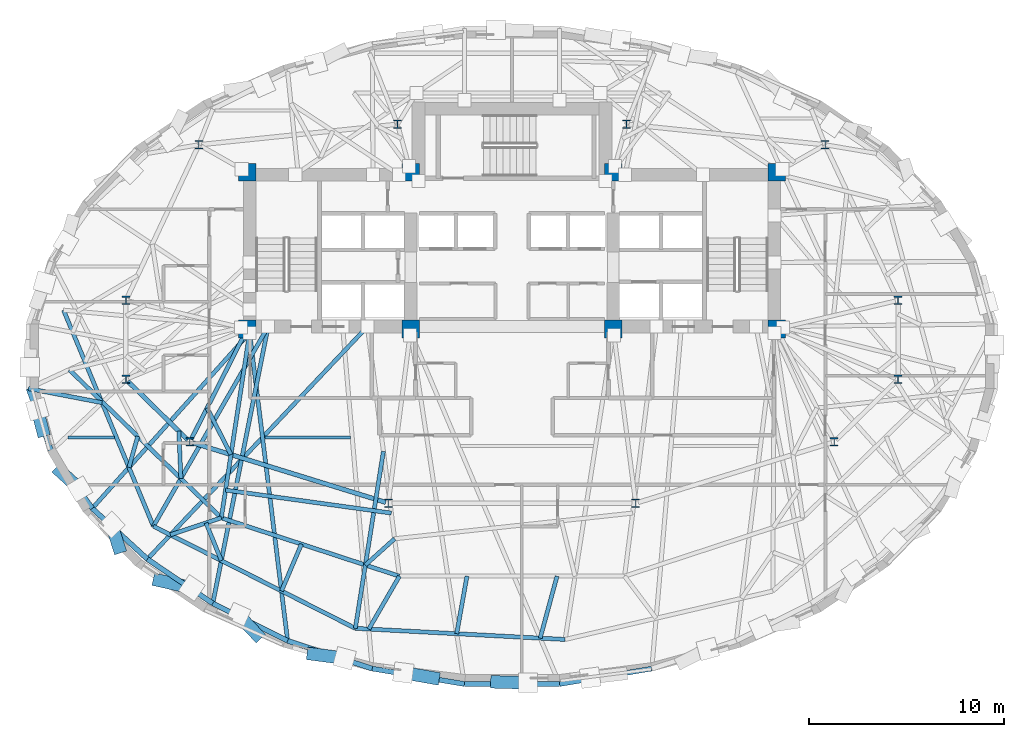
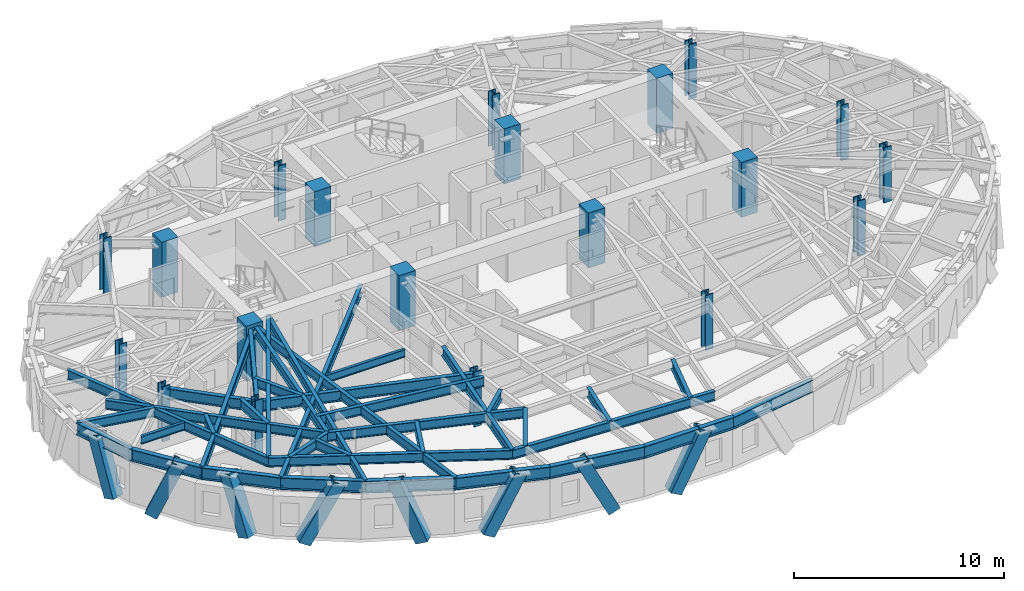
# One storey, part 1 of 14: 38 beams, 20 columns, 8 members.
"""IFC4 building model written with IfcOpenShell, lengths in metres."""

from ifc_helpers import new_model, si_unit, direction, frame, origin, origin_2d, place, context, subcontext, project, spatial, rectangle, hollow_rectangle, i_section, extrude, material, material_profile, profile_set, type_object, element, save


model = new_model("IFC4")

# Units and contexts
model_context = context("Model", 3, precision=1e-05, world=origin(), true_north=direction((0.0, 1.0)))
body_context = subcontext(model_context, "Body", "Model", "MODEL_VIEW")
ifc_project = project(units=[si_unit("LENGTHUNIT", "METRE"), si_unit("AREAUNIT", "SQUARE_METRE"), si_unit("VOLUMEUNIT", "CUBIC_METRE"), si_unit("PLANEANGLEUNIT", "RADIAN"), si_unit("MASSUNIT", "GRAM", prefix="KILO")], contexts=[model_context])

# Site, building, storey
site_placement = place(None, origin())
site = spatial("IfcSite", under=ifc_project, at=site_placement, CompositionType="ELEMENT")
building_placement = place(site_placement, origin())
building = spatial("IfcBuilding", under=site, at=building_placement, Name="Keldmark Tower", CompositionType="ELEMENT")
storey_placement = place(building_placement, frame((0.0, 0.0, 169.39990234375)))
storey = spatial("IfcBuildingStorey", under=building, at=storey_placement, Name="L46", CompositionType="ELEMENT", Elevation=169.39990234375)

# Columns
ifc_material_1 = material(Name="Concrete C50/60", Category="concrete")
ifc_material_profile_1 = material_profile(ifc_material_1, rectangle(XDim=0.89990234375, YDim=0.89990234375, at=origin_2d()), Name="RC900X900")
ifc_profile_set_1 = profile_set([ifc_material_profile_1], Name="Concrete C50/60")
column_type_1 = type_object("IfcColumnType", Name="Core Boundary Column RC900", PredefinedType="COLUMN", material=ifc_profile_set_1)
for number, where, z_axis, x_axis, name in (
    (1, (-13.60009765625, 1.39990234375, 0.0), (0.0, 0.0, 1.0), (1.0, 0.0, 0.0), "L46 Core Boundary Column CC-W1"),
    (2, (-13.60009765625, 9.449951171875, 0.0), (0.0, 0.0, 1.0), (1.0, 0.0, 0.0), "L46 Core Boundary Column CC-W2"),
    (3, (-5.199951171875, 1.39990234375, 0.0), (0.0, 0.0, 1.0), (1.0, 0.0, 0.0), "L46 Core Boundary Column CC-W3"),
    (4, (-5.199951171875, 9.449951171875, 0.0), (0.0, 0.0, 1.0), (1.0, 0.0, 0.0), "L46 Core Boundary Column CC-W4"),
    (5, (5.199951171875, 1.39990234375, 0.0), (0.0, 0.0, 1.0), (1.0, 0.0, 0.0), "L46 Core Boundary Column CC-E1"),
    (6, (5.199951171875, 9.449951171875, 0.0), (0.0, 0.0, 1.0), (1.0, 0.0, 0.0), "L46 Core Boundary Column CC-E2"),
    (7, (13.60009765625, 1.39990234375, 0.0), (0.0, 0.0, 1.0), (1.0, 0.0, 0.0), "L46 Core Boundary Column CC-E3"),
    (8, (13.60009765625, 9.449951171875, 0.0), (0.0, 0.0, 1.0), (1.0, 0.0, 0.0), "L46 Core Boundary Column CC-E4"),
):
    element("IfcColumn", number, at=place(storey_placement, frame(where, z_axis=z_axis, x_axis=x_axis)), inside=storey, type_object=column_type_1, Name=name, PredefinedType="COLUMN", context=body_context, shape_type="SweptSolid", body=[
        extrude(rectangle(XDim=0.89990234375, YDim=0.89990234375, at=origin_2d()), origin(), (0.0, 0.0, 1.0), 3.2001953125),
    ])
ifc_material_2 = material(Name="Steel ASTM A992 Grade 50", Category="steel")
ifc_material_profile_2 = material_profile(ifc_material_2, i_section(OverallWidth=0.412109375, OverallDepth=0.43505859375, WebThickness=0.035888671875, FlangeThickness=0.057373046875, at=origin_2d()), Name="W14X311")
ifc_profile_set_2 = profile_set([ifc_material_profile_2], Name="Steel ASTM A992 Grade 50")
column_type_2 = type_object("IfcColumnType", Name="Tower Gravity Column W14X311", PredefinedType="COLUMN", material=ifc_profile_set_2)
for number, where, z_axis, x_axis, name in (
    (9, (19.828369140625, 2.869140625, 0.0), (0.0, 0.0, 1.0), (1.0, 0.0, 0.0), "L46 Tower Gravity Column TC-E1"),
    (10, (16.08154296875, 10.861083984375, 0.0), (0.0, 0.0, 1.0), (1.0, 0.0, 0.0), "L46 Tower Gravity Column TC-E4"),
    (11, (5.880126953125, 11.915283203125, 0.0), (0.0, 0.0, 1.0), (1.0, 0.0, 0.0), "L46 Tower Gravity Column TC-N2"),
    (12, (-5.880126953125, 11.915283203125, 0.0), (0.0, 0.0, 1.0), (1.0, 0.0, 0.0), "L46 Tower Gravity Column TC-N1"),
    (13, (-16.08154296875, 10.861083984375, 0.0), (0.0, 0.0, 1.0), (1.0, 0.0, 0.0), "L46 Tower Gravity Column TC-W4"),
    (14, (-19.828369140625, 2.869140625, 0.0), (0.0, 0.0, 1.0), (1.0, 0.0, 0.0), "L46 Tower Gravity Column TC-W1"),
    (15, (-19.828369140625, -1.189208984375, 0.0), (0.0, 0.0, 1.0), (1.0, 0.0, 0.0), "L46 Tower Gravity Column TC-W5"),
    (16, (-16.546630859375, -4.3984375, 0.0), (0.0, 0.0, 1.0), (1.0, 0.0, 0.0), "L46 Tower Gravity Column TC-W2"),
    (17, (-6.351318359375, -7.546142578125, 0.0), (0.0, 0.0, 1.0), (1.0, 0.0, 0.0), "L46 Tower Gravity Column TC-W3"),
    (18, (6.351318359375, -7.546142578125, 0.0), (0.0, 0.0, 1.0), (1.0, 0.0, 0.0), "L46 Tower Gravity Column TC-E3"),
    (19, (16.546630859375, -4.3984375, 0.0), (0.0, 0.0, 1.0), (1.0, 0.0, 0.0), "L46 Tower Gravity Column TC-E2"),
    (20, (19.828369140625, -1.189208984375, 0.0), (0.0, 0.0, 1.0), (1.0, 0.0, 0.0), "L46 Tower Gravity Column TC-E5"),
):
    element("IfcColumn", number, at=place(storey_placement, frame(where, z_axis=z_axis, x_axis=x_axis)), inside=storey, type_object=column_type_2, Name=name, PredefinedType="COLUMN", context=body_context, shape_type="SweptSolid", body=[
        extrude(i_section(OverallWidth=0.412109375, OverallDepth=0.43505859375, WebThickness=0.035888671875, FlangeThickness=0.057373046875, at=origin_2d()), origin(), (0.0, 0.0, 1.0), 3.2001953125),
    ])

# Beams
ifc_material_3 = material(Name="Steel ASTM A992 Grade 50", Category="steel")
ifc_material_profile_3 = material_profile(ifc_material_3, i_section(OverallWidth=0.153076171875, OverallDepth=0.455078125, WebThickness=0.008056640625, FlangeThickness=0.01318359375, at=origin_2d()), Name="W18X40")
ifc_profile_set_3 = profile_set([ifc_material_profile_3], Name="Steel ASTM A992 Grade 50")
beam_type_1 = type_object("IfcBeamType", Name="Composite Floor Joist W18X40", PredefinedType="JOIST", material=ifc_profile_set_3)
beam_1_placement = place(storey_placement, frame((-22.802001953125, -4.179931640625, 2.79248046875), z_axis=(1.0, 0.0, 0.0), x_axis=(0.0, 1.0, 0.0)))
element("IfcBeam", 21, at=beam_1_placement, inside=storey, type_object=beam_type_1, Name="L46 Composite Floor Joist J01", PredefinedType="JOIST", context=body_context, shape_type="SweptSolid", body=[
    extrude(i_section(OverallWidth=0.153076171875, OverallDepth=0.455078125, WebThickness=0.008056640625, FlangeThickness=0.01318359375, at=origin_2d()), origin(), (0.0, 0.0, 1.0), 2.388671875),
])
beam_2_placement = place(storey_placement, frame((-12.68896484375, -4.179931640625, 2.79248046875), z_axis=(1.0, 0.0, 0.0), x_axis=(0.0, 1.0, 0.0)))
element("IfcBeam", 22, at=beam_2_placement, inside=storey, type_object=beam_type_1, Name="L46 Composite Floor Joist J02", PredefinedType="JOIST", context=body_context, shape_type="SweptSolid", body=[
    extrude(i_section(OverallWidth=0.153076171875, OverallDepth=0.455078125, WebThickness=0.008056640625, FlangeThickness=0.01318359375, at=origin_2d()), origin(), (0.0, 0.0, 1.0), 4.386474609375),
])

# Members
ifc_material_4 = material(Name="Steel ASTM A572 Grade 50", Category="steel")
ifc_material_profile_4 = material_profile(ifc_material_4, hollow_rectangle(XDim=0.64990234375, YDim=0.64990234375, WallThickness=0.0400390625, at=origin_2d()), Name="BOX650X650X40")
ifc_profile_set_4 = profile_set([ifc_material_profile_4], Name="Steel ASTM A572 Grade 50")
member_type = type_object("IfcMemberType", Name="Diagrid Zone 3 Brace BOX650X650X40", PredefinedType="BRACE", material=ifc_profile_set_4)
member_1_placement = place(storey_placement, frame((-24.10009765625, -3.815673828125, -0.260009765625), z_axis=(-0.084672709517, 0.32596083449, 0.941583807551), x_axis=(-0.967878242214, -0.251419387176, 0.0)))
element("IfcMember", 23, at=member_1_placement, inside=storey, type_object=member_type, Name="L46 Perimeter Diagrid Brace 09A", PredefinedType="BRACE", context=body_context, shape_type="SweptSolid", body=[
    extrude(hollow_rectangle(XDim=0.64990234375, YDim=0.64990234375, WallThickness=0.0400390625, at=origin_2d()), origin(), (0.0, 0.0, 1.0), 3.356201171875),
])
member_2_placement = place(storey_placement, frame((-23.19287109375, -5.91455078125, -0.260009765625), z_axis=(0.288196247163, -0.261796047732, 0.921089437847), x_axis=(0.67239074194, 0.740196386207, 0.0)))
element("IfcMember", 24, at=member_2_placement, inside=storey, type_object=member_type, Name="L46 Perimeter Diagrid Brace 09B", PredefinedType="BRACE", context=body_context, shape_type="SweptSolid", body=[
    extrude(hollow_rectangle(XDim=0.64990234375, YDim=0.64990234375, WallThickness=0.0400390625, at=origin_2d()), origin(), (0.0, 0.0, 1.0), 3.430908203125),
])
member_3_placement = place(storey_placement, frame((-20.192626953125, -9.8095703125, -0.260009765625), z_axis=(-0.108959859918, 0.341878686878, 0.933405974046), x_axis=(-0.952780507636, -0.303659849618, 0.0)))
element("IfcMember", 25, at=member_3_placement, inside=storey, type_object=member_type, Name="L46 Perimeter Diagrid Brace 10A", PredefinedType="BRACE", context=body_context, shape_type="SweptSolid", body=[
    extrude(hollow_rectangle(XDim=0.64990234375, YDim=0.64990234375, WallThickness=0.0400390625, at=origin_2d()), origin(), (0.0, 0.0, 1.0), 3.385498046875),
])
member_4_placement = place(storey_placement, frame((-18.14697265625, -11.510498046875, -0.260009765625), z_axis=(0.472598454602, -0.106846583258, 0.874776833457), x_axis=(0.220517727779, 0.975382966703, 0.0)))
element("IfcMember", 26, at=member_4_placement, inside=storey, type_object=member_type, Name="L46 Perimeter Diagrid Brace 10B", PredefinedType="BRACE", context=body_context, shape_type="SweptSolid", body=[
    extrude(hollow_rectangle(XDim=0.64990234375, YDim=0.64990234375, WallThickness=0.0400390625, at=origin_2d()), origin(), (0.0, 0.0, 1.0), 3.612548828125),
])
member_5_placement = place(storey_placement, frame((-13.10791015625, -14.28466796875, -0.260009765625), z_axis=(-0.272820277452, 0.289477270229, 0.917481338356), x_axis=(-0.727734237971, -0.685859226726, 0.0)))
element("IfcMember", 27, at=member_5_placement, inside=storey, type_object=member_type, Name="L46 Perimeter Diagrid Brace 11A", PredefinedType="BRACE", context=body_context, shape_type="SweptSolid", body=[
    extrude(hollow_rectangle(XDim=0.64990234375, YDim=0.64990234375, WallThickness=0.0400390625, at=origin_2d()), origin(), (0.0, 0.0, 1.0), 3.4443359375),
])
member_6_placement = place(storey_placement, frame((-10.236572265625, -15.29638671875, -0.260009765625), z_axis=(0.459260038876, -0.061001892463, 0.886204821589), x_axis=(0.131670035445, 0.991293600184, 0.0)))
element("IfcMember", 28, at=member_6_placement, inside=storey, type_object=member_type, Name="L46 Perimeter Diagrid Brace 11B", PredefinedType="BRACE", context=body_context, shape_type="SweptSolid", body=[
    extrude(hollow_rectangle(XDim=0.64990234375, YDim=0.64990234375, WallThickness=0.0400390625, at=origin_2d()), origin(), (0.0, 0.0, 1.0), 3.56591796875),
])
member_7_placement = place(storey_placement, frame((-4.02099609375, -16.525390625, -0.260009765625), z_axis=(-0.441922403437, 0.078083774143, 0.893648428385), x_axis=(-0.173995960046, -0.984746366273, 0.0)))
element("IfcMember", 29, at=member_7_placement, inside=storey, type_object=member_type, Name="L46 Perimeter Diagrid Brace 12A", PredefinedType="BRACE", context=body_context, shape_type="SweptSolid", body=[
    extrude(hollow_rectangle(XDim=0.64990234375, YDim=0.64990234375, WallThickness=0.0400390625, at=origin_2d()), origin(), (0.0, 0.0, 1.0), 3.5361328125),
])
member_8_placement = place(storey_placement, frame((-0.80712890625, -16.728515625, -0.260009765625), z_axis=(0.458019972848, -0.012978377042, 0.888847155703), x_axis=(0.028324463235, 0.999598781903, 0.0)))
element("IfcMember", 30, at=member_8_placement, inside=storey, type_object=member_type, Name="L46 Perimeter Diagrid Brace 12B", PredefinedType="BRACE", context=body_context, shape_type="SweptSolid", body=[
    extrude(hollow_rectangle(XDim=0.64990234375, YDim=0.64990234375, WallThickness=0.0400390625, at=origin_2d()), origin(), (0.0, 0.0, 1.0), 3.555419921875),
])

# Beams
ifc_material_5 = material(Name="Steel ASTM A992 Grade 50", Category="steel")
ifc_material_profile_5 = material_profile(ifc_material_5, i_section(OverallWidth=0.22900390625, OverallDepth=0.612060546875, WebThickness=0.011962890625, FlangeThickness=0.01953125, at=origin_2d()), Name="W24X84")
ifc_profile_set_5 = profile_set([ifc_material_profile_5], Name="Steel ASTM A992 Grade 50")
beam_type_2 = type_object("IfcBeamType", Name="Primary Floor Girder W24X84", PredefinedType="BEAM", material=ifc_profile_set_5)
beam_3_placement = place(storey_placement, frame((-19.728271484375, -1.287109375, 2.714111328125), z_axis=(0.714964509815, -0.699160746684, 0.0), x_axis=(0.699160746684, 0.714964509815, 0.0)))
element("IfcBeam", 31, at=beam_3_placement, inside=storey, type_object=beam_type_2, Name="L46 Floor Ring Girder FG-R07", PredefinedType="BEAM", context=body_context, shape_type="SweptSolid", body=[
    extrude(i_section(OverallWidth=0.22900390625, OverallDepth=0.612060546875, WebThickness=0.011962890625, FlangeThickness=0.01953125, at=origin_2d()), origin(), (0.0, 0.0, 1.0), 4.31005859375),
])
beam_4_placement = place(storey_placement, frame((-16.412841796875, -4.439697265625, 2.714111328125), z_axis=(0.955494563145, -0.295008711398, 0.0), x_axis=(0.295008711398, 0.955494563145, 0.0)))
element("IfcBeam", 32, at=beam_4_placement, inside=storey, type_object=beam_type_2, Name="L46 Floor Ring Girder FG-R08", PredefinedType="BEAM", context=body_context, shape_type="SweptSolid", body=[
    extrude(i_section(OverallWidth=0.22900390625, OverallDepth=0.612060546875, WebThickness=0.011962890625, FlangeThickness=0.01953125, at=origin_2d()), origin(), (0.0, 0.0, 1.0), 10.39013671875),
])
ifc_material_6 = material(Name="Steel ASTM A992 Grade 50", Category="steel")
ifc_material_profile_6 = material_profile(ifc_material_6, i_section(OverallWidth=0.2099609375, OverallDepth=0.537109375, WebThickness=0.010986328125, FlangeThickness=0.017333984375, at=origin_2d()), Name="W21X68")
ifc_profile_set_6 = profile_set([ifc_material_profile_6], Name="Steel ASTM A992 Grade 50")
beam_type_3 = type_object("IfcBeamType", Name="Radial Tie Girder W21X68", PredefinedType="BEAM", material=ifc_profile_set_6)
beam_5_placement = place(storey_placement, frame((-16.4833984375, -4.273681640625, 2.751708984375), z_axis=(0.453036691775, 0.891491870914, 0.0), x_axis=(-0.891491870914, 0.453036691775, 0.0)))
element("IfcBeam", 33, at=beam_5_placement, inside=storey, type_object=beam_type_3, Name="L46 Floor Radial Girder FG-C08", PredefinedType="BEAM", context=body_context, shape_type="SweptSolid", body=[
    extrude(i_section(OverallWidth=0.2099609375, OverallDepth=0.537109375, WebThickness=0.010986328125, FlangeThickness=0.017333984375, at=origin_2d()), origin(), (0.0, 0.0, 1.0), 6.044189453125),
])
beam_6_placement = place(storey_placement, frame((-15.661865234375, -2.6572265625, 2.751708984375), z_axis=(0.456767820364, -0.889585947663, 0.0), x_axis=(0.889585947663, 0.456767820364, 0.0)))
element("IfcBeam", 34, at=beam_6_placement, inside=storey, type_object=beam_type_3, Name="L46 Framing Pin Header PH-004", PredefinedType="BEAM", context=body_context, shape_type="SweptSolid", body=[
    extrude(i_section(OverallWidth=0.2099609375, OverallDepth=0.537109375, WebThickness=0.010986328125, FlangeThickness=0.017333984375, at=origin_2d()), origin(), (0.0, 0.0, 1.0), 2.691162109375),
])
beam_7_placement = place(storey_placement, frame((-13.47509765625, 1.199951171875, 2.751708984375), z_axis=(-0.151390881623, -0.988473975865, 0.0), x_axis=(0.988473975865, -0.151390881623, 0.0)))
element("IfcBeam", 35, at=beam_7_placement, inside=storey, type_object=beam_type_3, Name="L46 Sub-Ring Step Girder STP1-M08", PredefinedType="BEAM", context=body_context, shape_type="SweptSolid", body=[
    extrude(i_section(OverallWidth=0.2099609375, OverallDepth=0.537109375, WebThickness=0.010986328125, FlangeThickness=0.017333984375, at=origin_2d()), origin(), (0.0, 0.0, 1.0), 9.60986328125),
])
beam_8_placement = place(storey_placement, frame((-14.7119140625, -6.8740234375, 2.751708984375), z_axis=(0.990517306073, -0.137388013921, 0.0), x_axis=(0.137388013921, 0.990517306073, 0.0)))
element("IfcBeam", 36, at=beam_8_placement, inside=storey, type_object=beam_type_3, Name="L46 Framing Pin Header PH-005", PredefinedType="BEAM", context=body_context, shape_type="SweptSolid", body=[
    extrude(i_section(OverallWidth=0.2099609375, OverallDepth=0.537109375, WebThickness=0.010986328125, FlangeThickness=0.017333984375, at=origin_2d()), origin(), (0.0, 0.0, 1.0), 8.595458984375),
])
beam_9_placement = place(storey_placement, frame((-22.733154296875, -0.69140625, 2.751708984375), z_axis=(0.716021974504, -0.698077740677, 0.0), x_axis=(0.698077740677, 0.716021974504, 0.0)))
element("IfcBeam", 37, at=beam_9_placement, inside=storey, type_object=beam_type_3, Name="L46 Perimeter Collector Ring Beam CRG1-M07", PredefinedType="BEAM", context=body_context, shape_type="SweptSolid", body=[
    extrude(i_section(OverallWidth=0.2099609375, OverallDepth=0.537109375, WebThickness=0.010986328125, FlangeThickness=0.017333984375, at=origin_2d()), origin(), (0.0, 0.0, 1.0), 10.89794921875),
])
beam_10_placement = place(storey_placement, frame((-14.929931640625, -8.299072265625, 2.751708984375), z_axis=(0.95029660708, -0.31134604313, 0.0), x_axis=(0.31134604313, 0.95029660708, 0.0)))
element("IfcBeam", 38, at=beam_10_placement, inside=storey, type_object=beam_type_3, Name="L46 Perimeter Collector Ring Beam CRG1-M08", PredefinedType="BEAM", context=body_context, shape_type="SweptSolid", body=[
    extrude(i_section(OverallWidth=0.2099609375, OverallDepth=0.537109375, WebThickness=0.010986328125, FlangeThickness=0.017333984375, at=origin_2d()), origin(), (0.0, 0.0, 1.0), 9.62548828125),
])
beam_11_placement = place(storey_placement, frame((-17.10888671875, -3.8486328125, 2.751708984375), z_axis=(0.042516851326, -0.999095749842, 0.0), x_axis=(0.999095749842, 0.042516851326, 0.0)))
element("IfcBeam", 39, at=beam_11_placement, inside=storey, type_object=beam_type_3, Name="L46 Framing Pin Header PH-011", PredefinedType="BEAM", context=body_context, shape_type="SweptSolid", body=[
    extrude(i_section(OverallWidth=0.2099609375, OverallDepth=0.537109375, WebThickness=0.010986328125, FlangeThickness=0.017333984375, at=origin_2d()), origin(), (0.0, 0.0, 1.0), 2.428955078125),
])
beam_12_placement = place(storey_placement, frame((-12.52490234375, 1.52490234375, 2.751708984375), z_axis=(-0.498096062657, -0.867121855546, 0.0), x_axis=(0.867121855546, -0.498096062657, 0.0)))
element("IfcBeam", 40, at=beam_12_placement, inside=storey, type_object=beam_type_3, Name="L46 Sub-Ring Step Girder STP2-M08", PredefinedType="BEAM", context=body_context, shape_type="SweptSolid", body=[
    extrude(i_section(OverallWidth=0.2099609375, OverallDepth=0.537109375, WebThickness=0.010986328125, FlangeThickness=0.017333984375, at=origin_2d()), origin(), (0.0, 0.0, 1.0), 11.82763671875),
])
beam_13_placement = place(storey_placement, frame((-6.029296875, -9.372802734375, 2.751708984375), z_axis=(-0.743197933957, -0.669071618709, 0.0), x_axis=(0.669071618709, -0.743197933957, 0.0)))
element("IfcBeam", 41, at=beam_13_placement, inside=storey, type_object=beam_type_3, Name="L46 Framing Pin Header PH-012", PredefinedType="BEAM", context=body_context, shape_type="SweptSolid", body=[
    extrude(i_section(OverallWidth=0.2099609375, OverallDepth=0.537109375, WebThickness=0.010986328125, FlangeThickness=0.017333984375, at=origin_2d()), origin(), (0.0, 0.0, 1.0), 2.01904296875),
])
beam_14_placement = place(storey_placement, frame((-6.60400390625, -4.885498046875, 2.751708984375), z_axis=(-0.156628709054, -0.987657555786, 0.0), x_axis=(0.987657555786, -0.156628709054, 0.0)))
element("IfcBeam", 42, at=beam_14_placement, inside=storey, type_object=beam_type_3, Name="L46 Sub-Ring Step Girder STP2-M09", PredefinedType="BEAM", context=body_context, shape_type="SweptSolid", body=[
    extrude(i_section(OverallWidth=0.2099609375, OverallDepth=0.537109375, WebThickness=0.010986328125, FlangeThickness=0.017333984375, at=origin_2d()), origin(), (0.0, 0.0, 1.0), 9.20263671875),
])
beam_15_placement = place(storey_placement, frame((-23.031982421875, 2.367919921875, 2.751708984375), z_axis=(0.383983636979, -0.923339897617, 0.0), x_axis=(0.923339897617, 0.383983636979, 0.0)))
element("IfcBeam", 43, at=beam_15_placement, inside=storey, type_object=beam_type_3, Name="L46 Perimeter Collector Ring Beam CRG2-M07", PredefinedType="BEAM", context=body_context, shape_type="SweptSolid", body=[
    extrude(i_section(OverallWidth=0.2099609375, OverallDepth=0.537109375, WebThickness=0.010986328125, FlangeThickness=0.017333984375, at=origin_2d()), origin(), (0.0, 0.0, 1.0), 12.0205078125),
])
beam_16_placement = place(storey_placement, frame((-18.416259765625, -8.731201171875, 2.751708984375), z_axis=(0.892422471229, -0.451200767781, 0.0), x_axis=(0.451200767781, 0.892422471229, 0.0)))
element("IfcBeam", 44, at=beam_16_placement, inside=storey, type_object=beam_type_3, Name="L46 Perimeter Collector Ring Beam CRG2-M08", PredefinedType="BEAM", context=body_context, shape_type="SweptSolid", body=[
    extrude(i_section(OverallWidth=0.2099609375, OverallDepth=0.537109375, WebThickness=0.010986328125, FlangeThickness=0.017333984375, at=origin_2d()), origin(), (0.0, 0.0, 1.0), 11.62109375),
])
beam_17_placement = place(storey_placement, frame((-8.04541015625, -13.974609375, 2.751708984375), z_axis=(0.998596870383, -0.052955551754, 0.0), x_axis=(0.052955551754, 0.998596870383, 0.0)))
element("IfcBeam", 45, at=beam_17_placement, inside=storey, type_object=beam_type_3, Name="L46 Perimeter Collector Ring Beam CRG2-M09", PredefinedType="BEAM", context=body_context, shape_type="SweptSolid", body=[
    extrude(i_section(OverallWidth=0.2099609375, OverallDepth=0.537109375, WebThickness=0.010986328125, FlangeThickness=0.017333984375, at=origin_2d()), origin(), (0.0, 0.0, 1.0), 10.7880859375),
])
beam_18_placement = place(storey_placement, frame((-24.833251953125, -1.657958984375, 2.751708984375), z_axis=(0.981980184421, -0.188983907794, 0.0), x_axis=(0.188983907794, 0.981980184421, 0.0)))
element("IfcBeam", 46, at=beam_18_placement, inside=storey, type_object=beam_type_3, Name="L46 Framing Pin Header PH-030", PredefinedType="BEAM", context=body_context, shape_type="SweptSolid", body=[
    extrude(i_section(OverallWidth=0.2099609375, OverallDepth=0.537109375, WebThickness=0.010986328125, FlangeThickness=0.017333984375, at=origin_2d()), origin(), (0.0, 0.0, 1.0), 3.84716796875),
])
beam_19_placement = place(storey_placement, frame((-19.2216796875, -4.11474609375, 2.751708984375), z_axis=(-0.272404819456, -0.962182734379, 0.0), x_axis=(0.962182734379, -0.272404819456, 0.0)))
element("IfcBeam", 47, at=beam_19_placement, inside=storey, type_object=beam_type_3, Name="L46 Framing Pin Header PH-031", PredefinedType="BEAM", context=body_context, shape_type="SweptSolid", body=[
    extrude(i_section(OverallWidth=0.2099609375, OverallDepth=0.537109375, WebThickness=0.010986328125, FlangeThickness=0.017333984375, at=origin_2d()), origin(), (0.0, 0.0, 1.0), 1.6572265625),
])
beam_20_placement = place(storey_placement, frame((-13.47509765625, 1.199951171875, 2.751708984375), z_axis=(-0.66775277675, -0.744383119867, 0.0), x_axis=(0.744383119867, -0.66775277675, 0.0)))
element("IfcBeam", 48, at=beam_20_placement, inside=storey, type_object=beam_type_3, Name="L46 Perimeter Radial Tie Girder RT-19", PredefinedType="BEAM", context=body_context, shape_type="SweptSolid", body=[
    extrude(i_section(OverallWidth=0.2099609375, OverallDepth=0.537109375, WebThickness=0.010986328125, FlangeThickness=0.017333984375, at=origin_2d()), origin(), (0.0, 0.0, 1.0), 12.106689453125),
])
beam_21_placement = place(storey_placement, frame((-14.929931640625, -8.299072265625, 2.751708984375), z_axis=(-0.948647878275, -0.316334005513, 0.0), x_axis=(0.316334005513, -0.948647878275, 0.0)))
element("IfcBeam", 49, at=beam_21_placement, inside=storey, type_object=beam_type_3, Name="L46 Framing Pin Header PH-032", PredefinedType="BEAM", context=body_context, shape_type="SweptSolid", body=[
    extrude(i_section(OverallWidth=0.2099609375, OverallDepth=0.537109375, WebThickness=0.010986328125, FlangeThickness=0.017333984375, at=origin_2d()), origin(), (0.0, 0.0, 1.0), 2.757568359375),
])
beam_22_placement = place(storey_placement, frame((-7.425048828125, 1.52490234375, 2.751708984375), z_axis=(-0.687294316749, -0.726379048544, 0.0), x_axis=(0.726379048544, -0.687294316749, 0.0)))
element("IfcBeam", 50, at=beam_22_placement, inside=storey, type_object=beam_type_3, Name="L46 Perimeter Radial Tie Girder RT-20", PredefinedType="BEAM", context=body_context, shape_type="SweptSolid", body=[
    extrude(i_section(OverallWidth=0.2099609375, OverallDepth=0.537109375, WebThickness=0.010986328125, FlangeThickness=0.017333984375, at=origin_2d()), origin(), (0.0, 0.0, 1.0), 16.440673828125),
])
beam_23_placement = place(storey_placement, frame((-15.71484375, -8.560791015625, 2.751708984375), z_axis=(0.377007228287, -0.926210316191, 0.0), x_axis=(0.926210316191, 0.377007228287, 0.0)))
element("IfcBeam", 51, at=beam_23_placement, inside=storey, type_object=beam_type_3, Name="L46 Framing Pin Header PH-033", PredefinedType="BEAM", context=body_context, shape_type="SweptSolid", body=[
    extrude(i_section(OverallWidth=0.2099609375, OverallDepth=0.537109375, WebThickness=0.010986328125, FlangeThickness=0.017333984375, at=origin_2d()), origin(), (0.0, 0.0, 1.0), 2.08837890625),
])
beam_24_placement = place(storey_placement, frame((-12.52490234375, 1.52490234375, 2.751708984375), z_axis=(-0.19600927846, -0.980602040972, 0.0), x_axis=(0.980602040972, -0.19600927846, 0.0)))
element("IfcBeam", 52, at=beam_24_placement, inside=storey, type_object=beam_type_3, Name="L46 Perimeter Radial Tie Girder RT-21", PredefinedType="BEAM", context=body_context, shape_type="SweptSolid", body=[
    extrude(i_section(OverallWidth=0.2099609375, OverallDepth=0.537109375, WebThickness=0.010986328125, FlangeThickness=0.017333984375, at=origin_2d()), origin(), (0.0, 0.0, 1.0), 14.49951171875),
])
beam_25_placement = place(storey_placement, frame((-10.813720703125, -9.647705078125, 2.751708984375), z_axis=(-0.391768509317, -0.920063821214, 0.0), x_axis=(0.920063821214, -0.391768509317, 0.0)))
element("IfcBeam", 53, at=beam_25_placement, inside=storey, type_object=beam_type_3, Name="L46 Framing Pin Header PH-034", PredefinedType="BEAM", context=body_context, shape_type="SweptSolid", body=[
    extrude(i_section(OverallWidth=0.2099609375, OverallDepth=0.537109375, WebThickness=0.010986328125, FlangeThickness=0.017333984375, at=origin_2d()), origin(), (0.0, 0.0, 1.0), 2.617919921875),
])
beam_26_placement = place(storey_placement, frame((-13.47509765625, 1.199951171875, 2.751708984375), z_axis=(0.122461922072, -0.992473212557, 0.0), x_axis=(0.992473212557, 0.122461922072, 0.0)))
element("IfcBeam", 54, at=beam_26_placement, inside=storey, type_object=beam_type_3, Name="L46 Perimeter Radial Tie Girder RT-22", PredefinedType="BEAM", context=body_context, shape_type="SweptSolid", body=[
    extrude(i_section(OverallWidth=0.2099609375, OverallDepth=0.537109375, WebThickness=0.010986328125, FlangeThickness=0.017333984375, at=origin_2d()), origin(), (0.0, 0.0, 1.0), 15.934814453125),
])
beam_27_placement = place(storey_placement, frame((-5.782958984375, -11.2958984375, 2.751708984375), z_axis=(-0.500974921119, -0.865461800665, 0.0), x_axis=(0.865461800665, -0.500974921119, 0.0)))
element("IfcBeam", 55, at=beam_27_placement, inside=storey, type_object=beam_type_3, Name="L46 Framing Pin Header PH-035", PredefinedType="BEAM", context=body_context, shape_type="SweptSolid", body=[
    extrude(i_section(OverallWidth=0.2099609375, OverallDepth=0.537109375, WebThickness=0.010986328125, FlangeThickness=0.017333984375, at=origin_2d()), origin(), (0.0, 0.0, 1.0), 3.137451171875),
])
beam_28_placement = place(storey_placement, frame((-2.313232421875, -11.2958984375, 2.751708984375), z_axis=(-0.175613276006, -0.984459230893, 0.0), x_axis=(0.984459230893, -0.175613276006, 0.0)))
element("IfcBeam", 56, at=beam_28_placement, inside=storey, type_object=beam_type_3, Name="L46 Framing Pin Header PH-036", PredefinedType="BEAM", context=body_context, shape_type="SweptSolid", body=[
    extrude(i_section(OverallWidth=0.2099609375, OverallDepth=0.537109375, WebThickness=0.010986328125, FlangeThickness=0.017333984375, at=origin_2d()), origin(), (0.0, 0.0, 1.0), 3.00146484375),
])
beam_29_placement = place(storey_placement, frame((2.313232421875, -11.2958984375, 2.751708984375), z_axis=(-0.262653841845, -0.964890128131, 0.0), x_axis=(0.964890128131, -0.262653841845, 0.0)))
element("IfcBeam", 57, at=beam_29_placement, inside=storey, type_object=beam_type_3, Name="L46 Framing Pin Header PH-037", PredefinedType="BEAM", context=body_context, shape_type="SweptSolid", body=[
    extrude(i_section(OverallWidth=0.2099609375, OverallDepth=0.537109375, WebThickness=0.010986328125, FlangeThickness=0.017333984375, at=origin_2d()), origin(), (0.0, 0.0, 1.0), 3.2978515625),
])
ifc_material_7 = material(Name="Steel ASTM A992 Grade 50", Category="steel")
ifc_material_profile_7 = material_profile(ifc_material_7, i_section(OverallWidth=0.256103515625, OverallDepth=0.693115234375, WebThickness=0.014404296875, FlangeThickness=0.023681640625, at=origin_2d()), Name="W27X114")
ifc_profile_set_7 = profile_set([ifc_material_profile_7], Name="Steel ASTM A992 Grade 50")
beam_type_4 = type_object("IfcBeamType", Name="Spandrel Ring Beam W27X114", PredefinedType="SPANDREL", material=ifc_profile_set_7)
beam_30_placement = place(storey_placement, frame((-24.833251953125, -1.657958984375, 2.673583984375), z_axis=(0.342001402358, -0.939699441729, 0.0), x_axis=(0.939699441729, 0.342001402358, 0.0)))
element("IfcBeam", 58, at=beam_30_placement, inside=storey, type_object=beam_type_4, Name="L46 Perimeter Spandrel Ring Beam SRB-17", PredefinedType="SPANDREL", context=body_context, shape_type="SweptSolid", body=[
    extrude(i_section(OverallWidth=0.256103515625, OverallDepth=0.693115234375, WebThickness=0.014404296875, FlangeThickness=0.023681640625, at=origin_2d()), origin(), (0.0, 0.0, 1.0), 3.414306640625),
])
beam_31_placement = place(storey_placement, frame((-23.66552734375, -4.866455078125, 2.673583984375), z_axis=(0.581646294714, -0.813441815894, 0.0), x_axis=(0.813441815894, 0.581646294714, 0.0)))
element("IfcBeam", 59, at=beam_31_placement, inside=storey, type_object=beam_type_4, Name="L46 Perimeter Spandrel Ring Beam SRB-18", PredefinedType="SPANDREL", context=body_context, shape_type="SweptSolid", body=[
    extrude(i_section(OverallWidth=0.256103515625, OverallDepth=0.693115234375, WebThickness=0.014404296875, FlangeThickness=0.023681640625, at=origin_2d()), origin(), (0.0, 0.0, 1.0), 3.62109375),
])
beam_32_placement = place(storey_placement, frame((-21.559326171875, -7.81201171875, 2.673583984375), z_axis=(0.736282263947, -0.676674536093, 0.0), x_axis=(0.676674536093, 0.736282263947, 0.0)))
element("IfcBeam", 60, at=beam_32_placement, inside=storey, type_object=beam_type_4, Name="L46 Perimeter Spandrel Ring Beam SRB-19", PredefinedType="SPANDREL", context=body_context, shape_type="SweptSolid", body=[
    extrude(i_section(OverallWidth=0.256103515625, OverallDepth=0.693115234375, WebThickness=0.014404296875, FlangeThickness=0.023681640625, at=origin_2d()), origin(), (0.0, 0.0, 1.0), 3.85009765625),
])
beam_33_placement = place(storey_placement, frame((-18.724609375, -10.417236328125, 2.673583984375), z_axis=(0.827738347215, -0.561114274056, 0.0), x_axis=(0.561114274056, 0.827738347215, 0.0)))
element("IfcBeam", 61, at=beam_33_placement, inside=storey, type_object=beam_type_4, Name="L46 Perimeter Spandrel Ring Beam SRB-20", PredefinedType="SPANDREL", context=body_context, shape_type="SweptSolid", body=[
    extrude(i_section(OverallWidth=0.256103515625, OverallDepth=0.693115234375, WebThickness=0.014404296875, FlangeThickness=0.023681640625, at=origin_2d()), origin(), (0.0, 0.0, 1.0), 4.056396484375),
])
beam_34_placement = place(storey_placement, frame((-15.366943359375, -12.693359375, 2.673583984375), z_axis=(0.894427191, -0.4472135955, 0.0), x_axis=(0.4472135955, 0.894427191, 0.0)))
element("IfcBeam", 62, at=beam_34_placement, inside=storey, type_object=beam_type_4, Name="L46 Perimeter Spandrel Ring Beam SRB-21", PredefinedType="SPANDREL", context=body_context, shape_type="SweptSolid", body=[
    extrude(i_section(OverallWidth=0.256103515625, OverallDepth=0.693115234375, WebThickness=0.014404296875, FlangeThickness=0.023681640625, at=origin_2d()), origin(), (0.0, 0.0, 1.0), 4.296875),
])
beam_35_placement = place(storey_placement, frame((-11.523681640625, -14.614990234375, 2.673583984375), z_axis=(0.950019987977, -0.312189081237, 0.0), x_axis=(0.312189081237, 0.950019987977, 0.0)))
element("IfcBeam", 63, at=beam_35_placement, inside=storey, type_object=beam_type_4, Name="L46 Perimeter Spandrel Ring Beam SRB-22", PredefinedType="SPANDREL", context=body_context, shape_type="SweptSolid", body=[
    extrude(i_section(OverallWidth=0.256103515625, OverallDepth=0.693115234375, WebThickness=0.014404296875, FlangeThickness=0.023681640625, at=origin_2d()), origin(), (0.0, 0.0, 1.0), 4.5732421875),
])
beam_36_placement = place(storey_placement, frame((-7.178955078125, -16.042724609375, 2.673583984375), z_axis=(0.986304403905, -0.164935207998, 0.0), x_axis=(0.164935207998, 0.986304403905, 0.0)))
element("IfcBeam", 64, at=beam_36_placement, inside=storey, type_object=beam_type_4, Name="L46 Perimeter Spandrel Ring Beam SRB-23", PredefinedType="SPANDREL", context=body_context, shape_type="SweptSolid", body=[
    extrude(i_section(OverallWidth=0.256103515625, OverallDepth=0.693115234375, WebThickness=0.014404296875, FlangeThickness=0.023681640625, at=origin_2d()), origin(), (0.0, 0.0, 1.0), 4.798828125),
])
beam_37_placement = place(storey_placement, frame((-2.44580078125, -16.834228515625, 2.673583984375), z_axis=(1.0, 0.0, 0.0), x_axis=(0.0, 1.0, 0.0)))
element("IfcBeam", 65, at=beam_37_placement, inside=storey, type_object=beam_type_4, Name="L46 Perimeter Spandrel Ring Beam SRB-24", PredefinedType="SPANDREL", context=body_context, shape_type="SweptSolid", body=[
    extrude(i_section(OverallWidth=0.256103515625, OverallDepth=0.693115234375, WebThickness=0.014404296875, FlangeThickness=0.023681640625, at=origin_2d()), origin(), (0.0, 0.0, 1.0), 4.8916015625),
])
beam_38_placement = place(storey_placement, frame((2.44580078125, -16.834228515625, 2.673583984375), z_axis=(0.986304403905, 0.164935207998, 0.0), x_axis=(-0.164935207998, 0.986304403905, 0.0)))
element("IfcBeam", 66, at=beam_38_placement, inside=storey, type_object=beam_type_4, Name="L46 Perimeter Spandrel Ring Beam SRB-25", PredefinedType="SPANDREL", context=body_context, shape_type="SweptSolid", body=[
    extrude(i_section(OverallWidth=0.256103515625, OverallDepth=0.693115234375, WebThickness=0.014404296875, FlangeThickness=0.023681640625, at=origin_2d()), origin(), (0.0, 0.0, 1.0), 4.798828125),
])

save(model, "model.ifc")
